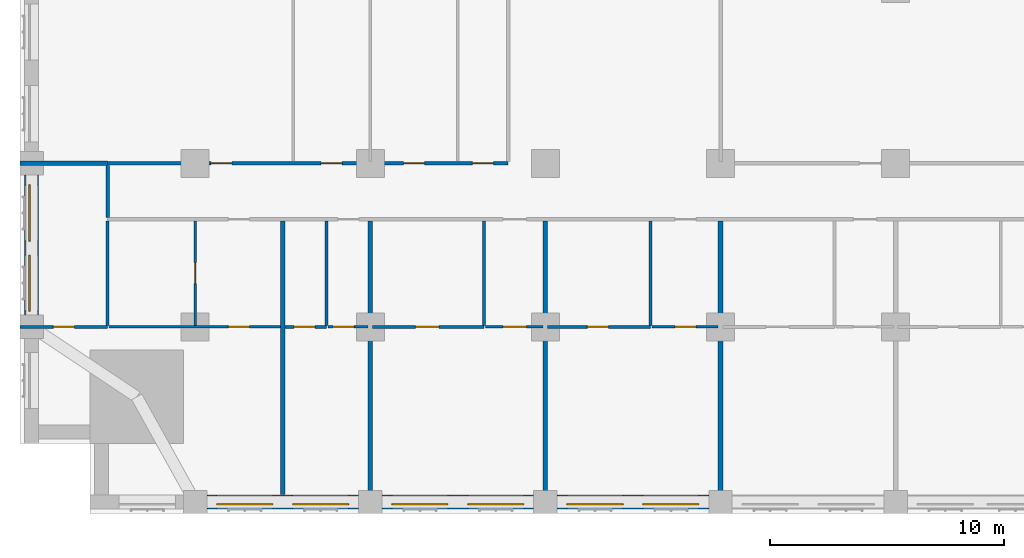
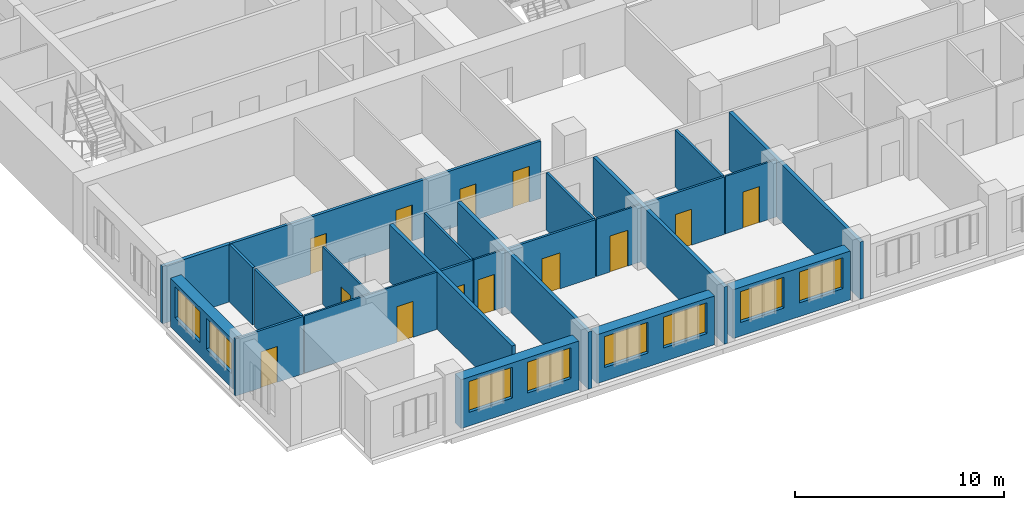
# One storey, part 4 of 14: 24 walls, 13 doors, 8 windows, 21 openings.
"""IFC4 building model written with IfcOpenShell, lengths in metres."""

import ifcopenshell
import ifcopenshell.guid

model = None  # the IFC model being written
_history = None  # IfcOwnerHistory: only IFC2X3 demands one
_inside = {}  # id of a spatial element -> (the spatial element, [elements in it])
_under = {}  # id of a project, library or spatial element -> (it, [spatial elements below it])
_declared = {}  # id of a project -> (the project, [libraries it declares])
_typed = {}  # id of a type object -> (the type object, [elements of that type])
_made_of = {}  # id of a material, layer set ... -> (it, [elements and type objects made of it])


def new_model(schema):
    """Start an empty IFC model of exactly this schema.

    Asked for "IFC4X3", IfcOpenShell would pick the latest addendum, in which some entities
    have other attributes; the version numbers below select the first issue.
    IFC2X3 requires an IfcOwnerHistory on every rooted entity: one is made here for all.
    """
    global model, _history
    if schema == "IFC4X3":
        model = ifcopenshell.file(schema_version=(4, 3, 0, 0))
    else:
        model = ifcopenshell.file(schema=schema)
    _inside.clear()
    _under.clear()
    _declared.clear()
    _typed.clear()
    _made_of.clear()
    _history = None
    if model.schema == "IFC2X3":
        org = make("IfcOrganization", Name="unknown")
        user = make(
            "IfcPersonAndOrganization",
            ThePerson=make("IfcPerson", FamilyName="unknown"),
            TheOrganization=org,
        )
        app = make(
            "IfcApplication",
            ApplicationDeveloper=org,
            Version="unknown",
            ApplicationFullName="unknown",
            ApplicationIdentifier="unknown",
        )
        _history = make(
            "IfcOwnerHistory",
            OwningUser=user,
            OwningApplication=app,
            ChangeAction="ADDED",
            CreationDate=0,
        )
    return model


def make(cls, **values):
    """One entity of the class cls with the attributes given. An attribute that is None is left unset."""
    return model.create_entity(
        cls, **{name: value for name, value in values.items() if value is not None}
    )


def rooted(cls, **values):
    """An entity with a GlobalId (a new one), such as an element, a storey or a relation."""
    return make(cls, GlobalId=ifcopenshell.guid.new(), OwnerHistory=_history, **values)


def si_unit(unit_type, name, prefix=None):
    """IfcSIUnit, for example si_unit("LENGTHUNIT", "METRE", prefix="MILLI")."""
    return make("IfcSIUnit", UnitType=unit_type, Prefix=prefix, Name=name)


def assignment(units):
    """IfcUnitAssignment: the units of a project."""
    return None if units is None else make("IfcUnitAssignment", Units=units)


def point(xyz):
    """IfcCartesianPoint."""
    return None if xyz is None else make("IfcCartesianPoint", Coordinates=xyz)


def direction(xyz):
    """IfcDirection."""
    return None if xyz is None else make("IfcDirection", DirectionRatios=xyz)


def frame(location, z_axis=None, x_axis=None):
    """IfcAxis2Placement3D, a coordinate frame: its origin and axes. An axis left out is left unset."""
    return make(
        "IfcAxis2Placement3D",
        Location=point(location),
        Axis=direction(z_axis),
        RefDirection=direction(x_axis),
    )


def frame_2d(location, x_axis=None):
    """IfcAxis2Placement2D, a coordinate frame in the plane: its origin and x axis."""
    return make(
        "IfcAxis2Placement2D", Location=point(location), RefDirection=direction(x_axis)
    )


def origin():
    """The frame at (0, 0, 0) with its axes left unset."""
    return frame((0.0, 0.0, 0.0))


def place(relative_to, where):
    """IfcLocalPlacement: puts the frame where relative to a parent placement (None: the world)."""
    return make(
        "IfcLocalPlacement", PlacementRelTo=relative_to, RelativePlacement=where
    )


def context(
    kind, dimensions, precision=None, world=None, true_north=None, identifier=None
):
    """IfcGeometricRepresentationContext, for example the 3D "Model" context."""
    return make(
        "IfcGeometricRepresentationContext",
        ContextIdentifier=identifier,
        ContextType=kind,
        CoordinateSpaceDimension=dimensions,
        Precision=precision,
        WorldCoordinateSystem=world,
        TrueNorth=true_north,
    )


def subcontext(parent, identifier, kind, view, scale=None):
    """IfcGeometricRepresentationSubContext, for example "Body" below "Model"."""
    return make(
        "IfcGeometricRepresentationSubContext",
        ContextIdentifier=identifier,
        ContextType=kind,
        ParentContext=parent,
        TargetScale=scale,
        TargetView=view,
    )


def project(units=None, contexts=None):
    """IfcProject with its units and contexts."""
    return rooted(
        "IfcProject",
        Name="project",
        RepresentationContexts=contexts,
        UnitsInContext=assignment(units),
    )


def spatial(cls, under=None, at=None, **own):
    """A site, building, storey or space (cls), placed at a placement, below another one or the project."""
    s = rooted(cls, ObjectPlacement=at, **own)
    if under is not None:
        _under.setdefault(under.id(), (under, []))[1].append(s)
    return s


def profile(cls, at=None, kind="AREA", **sizes):
    """A parametric profile (cls). Its sizes go by their IFC names, for example OverallWidth=200.0."""
    return make(cls, ProfileType=kind, Position=at, **sizes)


def rectangle(**sizes):
    """IfcRectangleProfileDef."""
    return profile("IfcRectangleProfileDef", **sizes)


def extrude(swept, where, along, depth):
    """IfcExtrudedAreaSolid: the profile swept, set in the frame where, extruded along a direction by depth."""
    return make(
        "IfcExtrudedAreaSolid",
        SweptArea=swept,
        Position=where,
        ExtrudedDirection=direction(along),
        Depth=depth,
    )


def shape(context_of_items, identifier, shape_type, items):
    """IfcShapeRepresentation: the items that make up one representation, for example the "Body"."""
    return make(
        "IfcShapeRepresentation",
        ContextOfItems=context_of_items,
        RepresentationIdentifier=identifier,
        RepresentationType=shape_type,
        Items=items,
    )


def material(Name=None, Category=None):
    """IfcMaterial."""
    return make("IfcMaterial", Name=Name, Category=Category)


def layer(
    of_material, thickness, ventilated=None, Name=None, Category=None, Priority=None
):
    """IfcMaterialLayer: one layer of a wall or slab, of a material (None: an air gap)."""
    return make(
        "IfcMaterialLayer",
        Material=of_material,
        LayerThickness=thickness,
        IsVentilated=ventilated,
        Name=Name,
        Category=Category,
        Priority=Priority,
    )


def layer_set(layers, Name=None):
    """IfcMaterialLayerSet."""
    return make("IfcMaterialLayerSet", MaterialLayers=layers, LayerSetName=Name)


def made_of(thing, what):
    """Note that an element or type object is made of a material, layer set ...; save() writes the relation."""
    if what is not None:
        _made_of.setdefault(what.id(), (what, []))[1].append(thing)
    return thing


def type_object(cls, material=None, **own):
    """A type object (cls), such as IfcWallType, which elements share."""
    return made_of(rooted(cls, **own), material)


def element(
    cls,
    number,
    at=None,
    inside=None,
    cuts=None,
    type_object=None,
    material=None,
    context=None,
    identifier="Body",
    shape_type=None,
    held_by="IfcProductDefinitionShape",
    body=None,
    shapes=None,
    **own,
):
    """One element of the class cls, such as IfcWall. Its Tag is "e" and its number.

    at: its placement. inside: the storey or other place that contains it. cuts: it is an
    opening in that element (IfcRelVoidsElement). A single representation is given by context,
    identifier, shape_type and body (its items); several are given by shapes. held_by: the class
    of the entity that holds the representations. save() writes the other relations.
    """
    e = rooted(cls, Tag="e%d" % number, ObjectPlacement=at, **own)
    if body is not None:
        shapes = [shape(context, identifier, shape_type, body)]
    if shapes is not None:
        e.Representation = make(held_by, Representations=shapes)
    if inside is not None:
        _inside.setdefault(inside.id(), (inside, []))[1].append(e)
    if cuts is not None:
        rooted(
            "IfcRelVoidsElement", RelatingBuildingElement=cuts, RelatedOpeningElement=e
        )
    if type_object is not None:
        _typed.setdefault(type_object.id(), (type_object, []))[1].append(e)
    return made_of(e, material)


def fill(opening, filler):
    """IfcRelFillsElement: the door or window that sits in an opening."""
    return rooted(
        "IfcRelFillsElement",
        RelatingOpeningElement=opening,
        RelatedBuildingElement=filler,
    )


def aggregate(whole, parts):
    """IfcRelAggregates: a whole, such as a stair, and the parts it consists of."""
    return rooted("IfcRelAggregates", RelatingObject=whole, RelatedObjects=parts)


def save(model, path):
    """Write the relations noted so far, then the file.

    IfcRelAggregates (storeys below a building ...), IfcRelContainedInSpatialStructure (elements
    in a storey), IfcRelDefinesByType, IfcRelAssociatesMaterial and IfcRelDeclares: one each for
    every whole, place, type object, material and project.
    """
    for whole, parts in _under.values():
        aggregate(whole, parts)
    for where, things in _inside.values():
        rooted(
            "IfcRelContainedInSpatialStructure",
            RelatedElements=things,
            RelatingStructure=where,
        )
    for kind, things in _typed.values():
        rooted("IfcRelDefinesByType", RelatedObjects=things, RelatingType=kind)
    for what, things in _made_of.values():
        rooted("IfcRelAssociatesMaterial", RelatedObjects=things, RelatingMaterial=what)
    for by, libraries in _declared.values():
        rooted("IfcRelDeclares", RelatingContext=by, RelatedDefinitions=libraries)
    model.write(path)


model = new_model("IFC4")

# Units and contexts
model_context = context("Model", 3, precision=1e-05, world=origin(), true_north=direction((0.0, 1.0)))
body_context = subcontext(model_context, "Body", "Model", "MODEL_VIEW")
ifc_project = project(units=[si_unit("LENGTHUNIT", "METRE"), si_unit("AREAUNIT", "SQUARE_METRE"), si_unit("VOLUMEUNIT", "CUBIC_METRE"), si_unit("PLANEANGLEUNIT", "RADIAN"), si_unit("MASSUNIT", "GRAM", prefix="KILO")], contexts=[model_context])

# Site, building, storey
site_placement = place(None, origin())
site = spatial("IfcSite", under=ifc_project, at=site_placement, CompositionType="ELEMENT")
building_placement = place(site_placement, origin())
building = spatial("IfcBuilding", under=site, at=building_placement, Name="Tamorin Gate", CompositionType="ELEMENT")
storey_placement = place(building_placement, frame((0.0, 0.0, 59.199951171875)))
storey = spatial("IfcBuildingStorey", under=building, at=storey_placement, Name="L13", CompositionType="ELEMENT", Elevation=59.199951171875)

# Wall, openings, windows
ifc_material_1 = material(Name="Precast concrete C40/50", Category="concrete")
ifc_layer_1 = layer(ifc_material_1, 0.60009765625)
ifc_layer_set_1 = layer_set([ifc_layer_1], Name="Precast concrete C40/50")
wall_type_1 = type_object("IfcWallType", Name="Board-marked concrete facade panel 600", PredefinedType="SOLIDWALL", material=ifc_layer_set_1)
wall_1_placement = place(storey_placement, frame((38.0, 38.0, 0.0), z_axis=(0.0, 0.0, 1.0), x_axis=(1.0, 0.0, 0.0)))
wall_1 = element("IfcWall", 1, at=wall_1_placement, inside=storey, type_object=wall_type_1, Name="Facade panel", PredefinedType="SOLIDWALL", context=body_context, shape_type="SweptSolid", body=[
    extrude(rectangle(XDim=6.5, YDim=0.60009765625, at=frame_2d((3.25, 0.0))), origin(), (0.0, 0.0, 1.0), 2.85009765625),
])
opening_1_placement = place(wall_1_placement, frame((0.425048828125, 0.0, 0.800048828125)))
opening_1 = element("IfcOpeningElement", 2, at=opening_1_placement, cuts=wall_1, Name="Opening WN1", PredefinedType="OPENING", context=body_context, shape_type="SweptSolid", body=[
    extrude(rectangle(XDim=2.39990234375, YDim=1.800048828125, at=frame_2d((1.199951171875, 0.89990234375))), frame((0.0, 0.31005859375, 0.0), z_axis=(0.0, -1.0, 0.0), x_axis=(1.0, 0.0, 0.0)), (0.0, 0.0, 1.0), 0.6201171875),
])
opening_2_placement = place(wall_1_placement, frame((3.675048828125, 0.0, 0.800048828125)))
opening_2 = element("IfcOpeningElement", 3, at=opening_2_placement, cuts=wall_1, Name="Opening WN1", PredefinedType="OPENING", context=body_context, shape_type="SweptSolid", body=[
    extrude(rectangle(XDim=2.39990234375, YDim=1.800048828125, at=frame_2d((1.199951171875, 0.89990234375))), frame((0.0, 0.31005859375, 0.0), z_axis=(0.0, -1.0, 0.0), x_axis=(1.0, 0.0, 0.0)), (0.0, 0.0, 1.0), 0.6201171875),
])
ifc_material_2 = material(Name="Clear glass in aluminium frame", Category="aluminium")
window_type = type_object("IfcWindowType", Name="Deep-set window 2400x1800", PartitioningType="SINGLE_PANEL", PredefinedType="WINDOW", material=ifc_material_2)
window_1_placement = place(opening_1_placement, origin())
window_1 = element("IfcWindow", 4, at=window_1_placement, inside=storey, type_object=window_type, Name="Deep-set window", OverallHeight=1.800048828125, OverallWidth=2.39990234375, PartitioningType="SINGLE_PANEL", PredefinedType="WINDOW", context=body_context, shape_type="SweptSolid", body=[
    extrude(rectangle(XDim=2.39990234375, YDim=1.800048828125, at=frame_2d((1.199951171875, 0.89990234375))), frame((0.0, -0.070068359375, 0.0), z_axis=(0.0, -1.0, 0.0), x_axis=(1.0, 0.0, 0.0)), (0.0, 0.0, 1.0), 0.06005859375),
])
fill(opening_1, window_1)
window_2_placement = place(opening_2_placement, origin())
window_2 = element("IfcWindow", 5, at=window_2_placement, inside=storey, type_object=window_type, Name="Deep-set window", OverallHeight=1.800048828125, OverallWidth=2.39990234375, PartitioningType="SINGLE_PANEL", PredefinedType="WINDOW", context=body_context, shape_type="SweptSolid", body=[
    extrude(rectangle(XDim=2.39990234375, YDim=1.800048828125, at=frame_2d((1.199951171875, 0.89990234375))), frame((0.0, -0.070068359375, 0.0), z_axis=(0.0, -1.0, 0.0), x_axis=(1.0, 0.0, 0.0)), (0.0, 0.0, 1.0), 0.06005859375),
])
fill(opening_2, window_2)

wall_2_placement = place(storey_placement, frame((45.5, 38.0, 0.0), z_axis=(0.0, 0.0, 1.0), x_axis=(1.0, 0.0, 0.0)))
wall_2 = element("IfcWall", 6, at=wall_2_placement, inside=storey, type_object=wall_type_1, Name="Facade panel", PredefinedType="SOLIDWALL", context=body_context, shape_type="SweptSolid", body=[
    extrude(rectangle(XDim=6.5, YDim=0.60009765625, at=frame_2d((3.25, 0.0))), origin(), (0.0, 0.0, 1.0), 2.85009765625),
])
opening_3_placement = place(wall_2_placement, frame((0.425048828125, 0.0, 0.800048828125)))
opening_3 = element("IfcOpeningElement", 7, at=opening_3_placement, cuts=wall_2, Name="Opening WN1", PredefinedType="OPENING", context=body_context, shape_type="SweptSolid", body=[
    extrude(rectangle(XDim=2.39990234375, YDim=1.800048828125, at=frame_2d((1.199951171875, 0.89990234375))), frame((0.0, 0.31005859375, 0.0), z_axis=(0.0, -1.0, 0.0), x_axis=(1.0, 0.0, 0.0)), (0.0, 0.0, 1.0), 0.6201171875),
])
opening_4_placement = place(wall_2_placement, frame((3.675048828125, 0.0, 0.800048828125)))
opening_4 = element("IfcOpeningElement", 8, at=opening_4_placement, cuts=wall_2, Name="Opening WN1", PredefinedType="OPENING", context=body_context, shape_type="SweptSolid", body=[
    extrude(rectangle(XDim=2.39990234375, YDim=1.800048828125, at=frame_2d((1.199951171875, 0.89990234375))), frame((0.0, 0.31005859375, 0.0), z_axis=(0.0, -1.0, 0.0), x_axis=(1.0, 0.0, 0.0)), (0.0, 0.0, 1.0), 0.6201171875),
])
window_3_placement = place(opening_3_placement, origin())
window_3 = element("IfcWindow", 9, at=window_3_placement, inside=storey, type_object=window_type, Name="Deep-set window", OverallHeight=1.800048828125, OverallWidth=2.39990234375, PartitioningType="SINGLE_PANEL", PredefinedType="WINDOW", context=body_context, shape_type="SweptSolid", body=[
    extrude(rectangle(XDim=2.39990234375, YDim=1.800048828125, at=frame_2d((1.199951171875, 0.89990234375))), frame((0.0, -0.070068359375, 0.0), z_axis=(0.0, -1.0, 0.0), x_axis=(1.0, 0.0, 0.0)), (0.0, 0.0, 1.0), 0.06005859375),
])
fill(opening_3, window_3)
window_4_placement = place(opening_4_placement, origin())
window_4 = element("IfcWindow", 10, at=window_4_placement, inside=storey, type_object=window_type, Name="Deep-set window", OverallHeight=1.800048828125, OverallWidth=2.39990234375, PartitioningType="SINGLE_PANEL", PredefinedType="WINDOW", context=body_context, shape_type="SweptSolid", body=[
    extrude(rectangle(XDim=2.39990234375, YDim=1.800048828125, at=frame_2d((1.199951171875, 0.89990234375))), frame((0.0, -0.070068359375, 0.0), z_axis=(0.0, -1.0, 0.0), x_axis=(1.0, 0.0, 0.0)), (0.0, 0.0, 1.0), 0.06005859375),
])
fill(opening_4, window_4)

wall_3_placement = place(storey_placement, frame((53.0, 38.0, 0.0), z_axis=(0.0, 0.0, 1.0), x_axis=(1.0, 0.0, 0.0)))
wall_3 = element("IfcWall", 11, at=wall_3_placement, inside=storey, type_object=wall_type_1, Name="Facade panel", PredefinedType="SOLIDWALL", context=body_context, shape_type="SweptSolid", body=[
    extrude(rectangle(XDim=6.5, YDim=0.60009765625, at=frame_2d((3.25, 0.0))), origin(), (0.0, 0.0, 1.0), 2.85009765625),
])
opening_5_placement = place(wall_3_placement, frame((0.425048828125, 0.0, 0.800048828125)))
opening_5 = element("IfcOpeningElement", 12, at=opening_5_placement, cuts=wall_3, Name="Opening WN1", PredefinedType="OPENING", context=body_context, shape_type="SweptSolid", body=[
    extrude(rectangle(XDim=2.39990234375, YDim=1.800048828125, at=frame_2d((1.199951171875, 0.89990234375))), frame((0.0, 0.31005859375, 0.0), z_axis=(0.0, -1.0, 0.0), x_axis=(1.0, 0.0, 0.0)), (0.0, 0.0, 1.0), 0.6201171875),
])
opening_6_placement = place(wall_3_placement, frame((3.675048828125, 0.0, 0.800048828125)))
opening_6 = element("IfcOpeningElement", 13, at=opening_6_placement, cuts=wall_3, Name="Opening WN1", PredefinedType="OPENING", context=body_context, shape_type="SweptSolid", body=[
    extrude(rectangle(XDim=2.39990234375, YDim=1.800048828125, at=frame_2d((1.199951171875, 0.89990234375))), frame((0.0, 0.31005859375, 0.0), z_axis=(0.0, -1.0, 0.0), x_axis=(1.0, 0.0, 0.0)), (0.0, 0.0, 1.0), 0.6201171875),
])
window_5_placement = place(opening_5_placement, origin())
window_5 = element("IfcWindow", 14, at=window_5_placement, inside=storey, type_object=window_type, Name="Deep-set window", OverallHeight=1.800048828125, OverallWidth=2.39990234375, PartitioningType="SINGLE_PANEL", PredefinedType="WINDOW", context=body_context, shape_type="SweptSolid", body=[
    extrude(rectangle(XDim=2.39990234375, YDim=1.800048828125, at=frame_2d((1.199951171875, 0.89990234375))), frame((0.0, -0.070068359375, 0.0), z_axis=(0.0, -1.0, 0.0), x_axis=(1.0, 0.0, 0.0)), (0.0, 0.0, 1.0), 0.06005859375),
])
fill(opening_5, window_5)
window_6_placement = place(opening_6_placement, origin())
window_6 = element("IfcWindow", 15, at=window_6_placement, inside=storey, type_object=window_type, Name="Deep-set window", OverallHeight=1.800048828125, OverallWidth=2.39990234375, PartitioningType="SINGLE_PANEL", PredefinedType="WINDOW", context=body_context, shape_type="SweptSolid", body=[
    extrude(rectangle(XDim=2.39990234375, YDim=1.800048828125, at=frame_2d((1.199951171875, 0.89990234375))), frame((0.0, -0.070068359375, 0.0), z_axis=(0.0, -1.0, 0.0), x_axis=(1.0, 0.0, 0.0)), (0.0, 0.0, 1.0), 0.06005859375),
])
fill(opening_6, window_6)

wall_4_placement = place(storey_placement, frame((30.5, 52.0, 0.0), z_axis=(0.0, 0.0, 1.0), x_axis=(0.0, -1.0, 0.0)))
wall_4 = element("IfcWall", 16, at=wall_4_placement, inside=storey, type_object=wall_type_1, Name="Facade panel", PredefinedType="SOLIDWALL", context=body_context, shape_type="SweptSolid", body=[
    extrude(rectangle(XDim=6.0, YDim=0.60009765625, at=frame_2d((3.0, 0.0))), origin(), (0.0, 0.0, 1.0), 2.85009765625),
])
opening_7_placement = place(wall_4_placement, frame((3.425048828125, 0.0, 0.800048828125)))
opening_7 = element("IfcOpeningElement", 17, at=opening_7_placement, cuts=wall_4, Name="Opening WN1", PredefinedType="OPENING", context=body_context, shape_type="SweptSolid", body=[
    extrude(rectangle(XDim=2.39990234375, YDim=1.800048828125, at=frame_2d((1.199951171875, 0.89990234375))), frame((0.0, 0.31005859375, 0.0), z_axis=(0.0, -1.0, 0.0), x_axis=(1.0, 0.0, 0.0)), (0.0, 0.0, 1.0), 0.6201171875),
])
opening_8_placement = place(wall_4_placement, frame((0.425048828125, 0.0, 0.800048828125)))
opening_8 = element("IfcOpeningElement", 18, at=opening_8_placement, cuts=wall_4, Name="Opening WN1", PredefinedType="OPENING", context=body_context, shape_type="SweptSolid", body=[
    extrude(rectangle(XDim=2.39990234375, YDim=1.800048828125, at=frame_2d((1.199951171875, 0.89990234375))), frame((0.0, 0.31005859375, 0.0), z_axis=(0.0, -1.0, 0.0), x_axis=(1.0, 0.0, 0.0)), (0.0, 0.0, 1.0), 0.6201171875),
])
window_7_placement = place(opening_7_placement, origin())
window_7 = element("IfcWindow", 19, at=window_7_placement, inside=storey, type_object=window_type, Name="Deep-set window", OverallHeight=1.800048828125, OverallWidth=2.39990234375, PartitioningType="SINGLE_PANEL", PredefinedType="WINDOW", context=body_context, shape_type="SweptSolid", body=[
    extrude(rectangle(XDim=2.39990234375, YDim=1.800048828125, at=frame_2d((1.199951171875, 0.89990234375))), frame((0.0, -0.070068359375, 0.0), z_axis=(0.0, -1.0, 0.0), x_axis=(1.0, 0.0, 0.0)), (0.0, 0.0, 1.0), 0.06005859375),
])
fill(opening_7, window_7)
window_8_placement = place(opening_8_placement, origin())
window_8 = element("IfcWindow", 20, at=window_8_placement, inside=storey, type_object=window_type, Name="Deep-set window", OverallHeight=1.800048828125, OverallWidth=2.39990234375, PartitioningType="SINGLE_PANEL", PredefinedType="WINDOW", context=body_context, shape_type="SweptSolid", body=[
    extrude(rectangle(XDim=2.39990234375, YDim=1.800048828125, at=frame_2d((1.199951171875, 0.89990234375))), frame((0.0, -0.070068359375, 0.0), z_axis=(0.0, -1.0, 0.0), x_axis=(1.0, 0.0, 0.0)), (0.0, 0.0, 1.0), 0.06005859375),
])
fill(opening_8, window_8)

# Wall, openings, doors
ifc_material_3 = material(Name="Gypsum board partition")
ifc_layer_2 = layer(ifc_material_3, 0.14990234375)
ifc_layer_set_2 = layer_set([ifc_layer_2], Name="Corridor wall 150")
wall_type_2 = type_object("IfcWallType", Name="Corridor wall 150", PredefinedType="PARTITIONING", material=ifc_layer_set_2)
wall_5_placement = place(storey_placement, frame((33.75, 52.5, 0.0), z_axis=(0.0, 0.0, 1.0), x_axis=(1.0, 0.0, 0.0)))
wall_5 = element("IfcWall", 21, at=wall_5_placement, inside=storey, type_object=wall_type_2, Name="Corridor wall 150", PredefinedType="PARTITIONING", context=body_context, shape_type="SweptSolid", body=[
    extrude(rectangle(XDim=17.14990234375, YDim=0.14990234375, at=frame_2d((8.574951171875, 0.0))), origin(), (0.0, 0.0, 1.0), 3.35009765625),
])
opening_9_placement = place(wall_5_placement, frame((4.425048828125, 0.0, 0.0)))
opening_9 = element("IfcOpeningElement", 22, at=opening_9_placement, cuts=wall_5, Name="Opening DH4072", PredefinedType="OPENING", context=body_context, shape_type="SweptSolid", body=[
    extrude(rectangle(XDim=0.89990234375, YDim=2.10009765625, at=frame_2d((0.449951171875, 1.050048828125))), frame((0.0, 0.0849609375, 0.0), z_axis=(0.0, -1.0, 0.0), x_axis=(1.0, 0.0, 0.0)), (0.0, 0.0, 1.0), 0.169921875),
])
opening_10_placement = place(wall_5_placement, frame((9.14990234375, 0.0, 0.0)))
opening_10 = element("IfcOpeningElement", 23, at=opening_10_placement, cuts=wall_5, Name="Opening DH4073", PredefinedType="OPENING", context=body_context, shape_type="SweptSolid", body=[
    extrude(rectangle(XDim=0.89990234375, YDim=2.10009765625, at=frame_2d((0.449951171875, 1.050048828125))), frame((0.0, 0.0849609375, 0.0), z_axis=(0.0, -1.0, 0.0), x_axis=(1.0, 0.0, 0.0)), (0.0, 0.0, 1.0), 0.169921875),
])
opening_11_placement = place(wall_5_placement, frame((12.675048828125, 0.0, 0.0)))
opening_11 = element("IfcOpeningElement", 24, at=opening_11_placement, cuts=wall_5, Name="Opening DH4074", PredefinedType="OPENING", context=body_context, shape_type="SweptSolid", body=[
    extrude(rectangle(XDim=0.89990234375, YDim=2.10009765625, at=frame_2d((0.449951171875, 1.050048828125))), frame((0.0, 0.0849609375, 0.0), z_axis=(0.0, -1.0, 0.0), x_axis=(1.0, 0.0, 0.0)), (0.0, 0.0, 1.0), 0.169921875),
])
opening_12_placement = place(wall_5_placement, frame((15.625, 0.0, 0.0)))
opening_12 = element("IfcOpeningElement", 25, at=opening_12_placement, cuts=wall_5, Name="Opening DH4075", PredefinedType="OPENING", context=body_context, shape_type="SweptSolid", body=[
    extrude(rectangle(XDim=0.89990234375, YDim=2.10009765625, at=frame_2d((0.449951171875, 1.050048828125))), frame((0.0, 0.0849609375, 0.0), z_axis=(0.0, -1.0, 0.0), x_axis=(1.0, 0.0, 0.0)), (0.0, 0.0, 1.0), 0.169921875),
])
ifc_material_4 = material(Name="Timber door leaf", Category="wood")
door_type_1 = type_object("IfcDoorType", Name="Door 900 x 2100 FD30S", OperationType="NOTDEFINED", PredefinedType="DOOR", material=ifc_material_4)
door_1_placement = place(opening_9_placement, origin())
door_1 = element("IfcDoor", 26, at=door_1_placement, inside=storey, type_object=door_type_1, Name="Door DH4072", OperationType="SINGLE_SWING_RIGHT", OverallHeight=2.10009765625, OverallWidth=0.89990234375, PredefinedType="DOOR", context=body_context, shape_type="SweptSolid", body=[
    extrude(rectangle(XDim=0.89990234375, YDim=2.10009765625, at=frame_2d((0.449951171875, 1.050048828125))), frame((0.0, 0.02490234375, 0.0), z_axis=(0.0, -1.0, 0.0), x_axis=(1.0, 0.0, 0.0)), (0.0, 0.0, 1.0), 0.050048828125),
])
fill(opening_9, door_1)
door_2_placement = place(opening_10_placement, origin())
door_2 = element("IfcDoor", 27, at=door_2_placement, inside=storey, type_object=door_type_1, Name="Door DH4073", OperationType="SINGLE_SWING_LEFT", OverallHeight=2.10009765625, OverallWidth=0.89990234375, PredefinedType="DOOR", context=body_context, shape_type="SweptSolid", body=[
    extrude(rectangle(XDim=0.89990234375, YDim=2.10009765625, at=frame_2d((0.449951171875, 1.050048828125))), frame((0.0, 0.02490234375, 0.0), z_axis=(0.0, -1.0, 0.0), x_axis=(1.0, 0.0, 0.0)), (0.0, 0.0, 1.0), 0.050048828125),
])
fill(opening_10, door_2)
door_3_placement = place(opening_11_placement, origin())
door_3 = element("IfcDoor", 28, at=door_3_placement, inside=storey, type_object=door_type_1, Name="Door DH4074", OperationType="SINGLE_SWING_LEFT", OverallHeight=2.10009765625, OverallWidth=0.89990234375, PredefinedType="DOOR", context=body_context, shape_type="SweptSolid", body=[
    extrude(rectangle(XDim=0.89990234375, YDim=2.10009765625, at=frame_2d((0.449951171875, 1.050048828125))), frame((0.0, 0.02490234375, 0.0), z_axis=(0.0, -1.0, 0.0), x_axis=(1.0, 0.0, 0.0)), (0.0, 0.0, 1.0), 0.050048828125),
])
fill(opening_11, door_3)
door_4_placement = place(opening_12_placement, origin())
door_4 = element("IfcDoor", 29, at=door_4_placement, inside=storey, type_object=door_type_1, Name="Door DH4075", OperationType="SINGLE_SWING_LEFT", OverallHeight=2.10009765625, OverallWidth=0.89990234375, PredefinedType="DOOR", context=body_context, shape_type="SweptSolid", body=[
    extrude(rectangle(XDim=0.89990234375, YDim=2.10009765625, at=frame_2d((0.449951171875, 1.050048828125))), frame((0.0, 0.02490234375, 0.0), z_axis=(0.0, -1.0, 0.0), x_axis=(1.0, 0.0, 0.0)), (0.0, 0.0, 1.0), 0.050048828125),
])
fill(opening_12, door_4)

# Walls
wall_6_placement = place(storey_placement, frame((33.75, 50.175048828125, 0.0), z_axis=(0.0, 0.0, 1.0), x_axis=(0.0, 1.0, 0.0)))
element("IfcWall", 30, at=wall_6_placement, inside=storey, type_object=wall_type_2, Name="Corridor wall 150", PredefinedType="PARTITIONING", context=body_context, shape_type="SweptSolid", body=[
    extrude(rectangle(XDim=2.224853515625, YDim=0.14990234375, at=frame_2d((1.1123046875, 0.0))), origin(), (0.0, 0.0, 1.0), 3.35009765625),
])
ifc_layer_3 = layer(ifc_material_3, 0.199951171875)
ifc_layer_set_3 = layer_set([ifc_layer_3], Name="Demising wall 200")
wall_type_3 = type_object("IfcWallType", Name="Demising wall 200", PredefinedType="PARTITIONING", material=ifc_layer_set_3)
wall_7_placement = place(storey_placement, frame((30.0, 52.5, 0.0), z_axis=(0.0, 0.0, 1.0), x_axis=(1.0, 0.0, 0.0)))
element("IfcWall", 31, at=wall_7_placement, inside=storey, type_object=wall_type_3, Name="Demising wall 200", PredefinedType="PARTITIONING", context=body_context, shape_type="SweptSolid", body=[
    extrude(rectangle(XDim=3.75, YDim=0.199951171875, at=frame_2d((1.875, 0.0))), origin(), (0.0, 0.0, 1.0), 3.35009765625),
])
wall_8_placement = place(storey_placement, frame((41.25, 38.31005859375, 0.0), z_axis=(0.0, 0.0, 1.0), x_axis=(0.0, 1.0, 0.0)))
element("IfcWall", 32, at=wall_8_placement, inside=storey, type_object=wall_type_3, Name="Demising wall 200", PredefinedType="PARTITIONING", context=body_context, shape_type="SweptSolid", body=[
    extrude(rectangle(XDim=11.71484375, YDim=0.199951171875, at=frame_2d((5.857421875, 0.0))), origin(), (0.0, 0.0, 1.0), 3.35009765625),
])
for number, where, z_axis, x_axis, name in (
    (33, (45.0, 37.5, 0.0), (0.0, 0.0, 1.0), (0.0, 1.0, 0.0), "Demising wall 200"),
    (34, (52.5, 37.5, 0.0), (0.0, 0.0, 1.0), (0.0, 1.0, 0.0), "Demising wall 200"),
    (35, (60.0, 37.5, 0.0), (0.0, 0.0, 1.0), (0.0, 1.0, 0.0), "Demising wall 200"),
):
    element("IfcWall", number, at=place(storey_placement, frame(where, z_axis=z_axis, x_axis=x_axis)), inside=storey, type_object=wall_type_3, Name=name, PredefinedType="PARTITIONING", context=body_context, shape_type="SweptSolid", body=[
        extrude(rectangle(XDim=12.52490234375, YDim=0.199951171875, at=frame_2d((6.262451171875, 0.0))), origin(), (0.0, 0.0, 1.0), 3.35009765625),
    ])

# Wall, opening, door
ifc_layer_4 = layer(ifc_material_3, 0.10009765625)
ifc_layer_set_4 = layer_set([ifc_layer_4], Name="Room partition 100")
wall_type_4 = type_object("IfcWallType", Name="Room partition 100", PredefinedType="PARTITIONING", material=ifc_layer_set_4)
wall_9_placement = place(storey_placement, frame((33.8125, 45.5, 0.0), z_axis=(0.0, 0.0, 1.0), x_axis=(1.0, 0.0, 0.0)))
wall_9 = element("IfcWall", 36, at=wall_9_placement, inside=storey, type_object=wall_type_4, Name="Room partition 100", PredefinedType="PARTITIONING", context=body_context, shape_type="SweptSolid", body=[
    extrude(rectangle(XDim=7.33740234375, YDim=0.10009765625, at=frame_2d((3.668701171875, 0.0))), origin(), (0.0, 0.0, 1.0), 3.35009765625),
])
opening_13_placement = place(wall_9_placement, frame((5.112548828125, 0.0, 0.0)))
opening_13 = element("IfcOpeningElement", 37, at=opening_13_placement, cuts=wall_9, Name="Opening DH4004", PredefinedType="OPENING", context=body_context, shape_type="SweptSolid", body=[
    extrude(rectangle(XDim=0.89990234375, YDim=2.10009765625, at=frame_2d((0.449951171875, 1.050048828125))), frame((0.0, 0.06005859375, 0.0), z_axis=(0.0, -1.0, 0.0), x_axis=(1.0, 0.0, 0.0)), (0.0, 0.0, 1.0), 0.1201171875),
])
door_type_2 = type_object("IfcDoorType", Name="Door 900 x 2100", OperationType="NOTDEFINED", PredefinedType="DOOR", material=ifc_material_4)
door_5_placement = place(opening_13_placement, origin())
door_5 = element("IfcDoor", 38, at=door_5_placement, inside=storey, type_object=door_type_2, Name="Door DH4004", OperationType="SINGLE_SWING_LEFT", OverallHeight=2.10009765625, OverallWidth=0.89990234375, PredefinedType="DOOR", context=body_context, shape_type="SweptSolid", body=[
    extrude(rectangle(XDim=0.89990234375, YDim=2.10009765625, at=frame_2d((0.449951171875, 1.050048828125))), frame((0.0, 0.02490234375, 0.0), z_axis=(0.0, -1.0, 0.0), x_axis=(1.0, 0.0, 0.0)), (0.0, 0.0, 1.0), 0.050048828125),
])
fill(opening_13, door_5)

wall_10_placement = place(storey_placement, frame((43.1875, 45.5, 0.0), z_axis=(0.0, 0.0, 1.0), x_axis=(1.0, 0.0, 0.0)))
wall_10 = element("IfcWall", 39, at=wall_10_placement, inside=storey, type_object=wall_type_4, Name="Room partition 100", PredefinedType="PARTITIONING", context=body_context, shape_type="SweptSolid", body=[
    extrude(rectangle(XDim=1.71240234375, YDim=0.10009765625, at=frame_2d((0.856201171875, 0.0))), origin(), (0.0, 0.0, 1.0), 3.35009765625),
])
opening_14_placement = place(wall_10_placement, frame((0.22509765625, 0.0, 0.0)))
opening_14 = element("IfcOpeningElement", 40, at=opening_14_placement, cuts=wall_10, Name="Opening DH4007", PredefinedType="OPENING", context=body_context, shape_type="SweptSolid", body=[
    extrude(rectangle(XDim=0.89990234375, YDim=2.10009765625, at=frame_2d((0.449951171875, 1.050048828125))), frame((0.0, 0.06005859375, 0.0), z_axis=(0.0, -1.0, 0.0), x_axis=(1.0, 0.0, 0.0)), (0.0, 0.0, 1.0), 0.1201171875),
])
door_6_placement = place(opening_14_placement, origin())
door_6 = element("IfcDoor", 41, at=door_6_placement, inside=storey, type_object=door_type_2, Name="Door DH4007", OperationType="SINGLE_SWING_LEFT", OverallHeight=2.10009765625, OverallWidth=0.89990234375, PredefinedType="DOOR", context=body_context, shape_type="SweptSolid", body=[
    extrude(rectangle(XDim=0.89990234375, YDim=2.10009765625, at=frame_2d((0.449951171875, 1.050048828125))), frame((0.0, 0.02490234375, 0.0), z_axis=(0.0, -1.0, 0.0), x_axis=(1.0, 0.0, 0.0)), (0.0, 0.0, 1.0), 0.050048828125),
])
fill(opening_14, door_6)

wall_11_placement = place(storey_placement, frame((49.9375, 45.5, 0.0), z_axis=(0.0, 0.0, 1.0), x_axis=(1.0, 0.0, 0.0)))
wall_11 = element("IfcWall", 42, at=wall_11_placement, inside=storey, type_object=wall_type_4, Name="Room partition 100", PredefinedType="PARTITIONING", context=body_context, shape_type="SweptSolid", body=[
    extrude(rectangle(XDim=2.46240234375, YDim=0.10009765625, at=frame_2d((1.231201171875, 0.0))), origin(), (0.0, 0.0, 1.0), 3.35009765625),
])
opening_15_placement = place(wall_11_placement, frame((0.75, 0.0, 0.0)))
opening_15 = element("IfcOpeningElement", 43, at=opening_15_placement, cuts=wall_11, Name="Opening DH4010", PredefinedType="OPENING", context=body_context, shape_type="SweptSolid", body=[
    extrude(rectangle(XDim=1.0, YDim=2.10009765625, at=frame_2d((0.5, 1.050048828125))), frame((0.0, 0.06005859375, 0.0), z_axis=(0.0, -1.0, 0.0), x_axis=(1.0, 0.0, 0.0)), (0.0, 0.0, 1.0), 0.1201171875),
])
door_type_3 = type_object("IfcDoorType", Name="Door 1000 x 2100", OperationType="NOTDEFINED", PredefinedType="DOOR", material=ifc_material_4)
door_7_placement = place(opening_15_placement, origin())
door_7 = element("IfcDoor", 44, at=door_7_placement, inside=storey, type_object=door_type_3, Name="Door DH4010", OperationType="SINGLE_SWING_LEFT", OverallHeight=2.10009765625, OverallWidth=1.0, PredefinedType="DOOR", context=body_context, shape_type="SweptSolid", body=[
    extrude(rectangle(XDim=1.0, YDim=2.10009765625, at=frame_2d((0.5, 1.050048828125))), frame((0.0, 0.02490234375, 0.0), z_axis=(0.0, -1.0, 0.0), x_axis=(1.0, 0.0, 0.0)), (0.0, 0.0, 1.0), 0.050048828125),
])
fill(opening_15, door_7)

wall_12_placement = place(storey_placement, frame((57.0625, 45.5, 0.0), z_axis=(0.0, 0.0, 1.0), x_axis=(1.0, 0.0, 0.0)))
wall_12 = element("IfcWall", 45, at=wall_12_placement, inside=storey, type_object=wall_type_4, Name="Room partition 100", PredefinedType="PARTITIONING", context=body_context, shape_type="SweptSolid", body=[
    extrude(rectangle(XDim=2.83740234375, YDim=0.10009765625, at=frame_2d((1.418701171875, 0.0))), origin(), (0.0, 0.0, 1.0), 3.35009765625),
])
opening_16_placement = place(wall_12_placement, frame((0.987548828125, 0.0, 0.0)))
opening_16 = element("IfcOpeningElement", 46, at=opening_16_placement, cuts=wall_12, Name="Opening DH4013", PredefinedType="OPENING", context=body_context, shape_type="SweptSolid", body=[
    extrude(rectangle(XDim=0.89990234375, YDim=2.10009765625, at=frame_2d((0.449951171875, 1.050048828125))), frame((0.0, 0.06005859375, 0.0), z_axis=(0.0, -1.0, 0.0), x_axis=(1.0, 0.0, 0.0)), (0.0, 0.0, 1.0), 0.1201171875),
])
door_8_placement = place(opening_16_placement, origin())
door_8 = element("IfcDoor", 47, at=door_8_placement, inside=storey, type_object=door_type_2, Name="Door DH4013", OperationType="SINGLE_SWING_LEFT", OverallHeight=2.10009765625, OverallWidth=0.89990234375, PredefinedType="DOOR", context=body_context, shape_type="SweptSolid", body=[
    extrude(rectangle(XDim=0.89990234375, YDim=2.10009765625, at=frame_2d((0.449951171875, 1.050048828125))), frame((0.0, 0.02490234375, 0.0), z_axis=(0.0, -1.0, 0.0), x_axis=(1.0, 0.0, 0.0)), (0.0, 0.0, 1.0), 0.050048828125),
])
fill(opening_16, door_8)

wall_13_placement = place(storey_placement, frame((37.5, 45.550048828125, 0.0), z_axis=(0.0, 0.0, 1.0), x_axis=(0.0, 1.0, 0.0)))
wall_13 = element("IfcWall", 48, at=wall_13_placement, inside=storey, type_object=wall_type_4, Name="Room partition 100", PredefinedType="PARTITIONING", context=body_context, shape_type="SweptSolid", body=[
    extrude(rectangle(XDim=4.474853515625, YDim=0.10009765625, at=frame_2d((2.2373046875, 0.0))), origin(), (0.0, 0.0, 1.0), 3.35009765625),
])
opening_17_placement = place(wall_13_placement, frame((1.800048828125, 0.0, 0.0)))
opening_17 = element("IfcOpeningElement", 49, at=opening_17_placement, cuts=wall_13, Name="Opening DH4002", PredefinedType="OPENING", context=body_context, shape_type="SweptSolid", body=[
    extrude(rectangle(XDim=0.89990234375, YDim=2.10009765625, at=frame_2d((0.449951171875, 1.050048828125))), frame((0.0, 0.06005859375, 0.0), z_axis=(0.0, -1.0, 0.0), x_axis=(1.0, 0.0, 0.0)), (0.0, 0.0, 1.0), 0.1201171875),
])
door_9_placement = place(opening_17_placement, origin())
door_9 = element("IfcDoor", 50, at=door_9_placement, inside=storey, type_object=door_type_2, Name="Door DH4002", OperationType="SINGLE_SWING_RIGHT", OverallHeight=2.10009765625, OverallWidth=0.89990234375, PredefinedType="DOOR", context=body_context, shape_type="SweptSolid", body=[
    extrude(rectangle(XDim=0.89990234375, YDim=2.10009765625, at=frame_2d((0.449951171875, 1.050048828125))), frame((0.0, 0.02490234375, 0.0), z_axis=(0.0, -1.0, 0.0), x_axis=(1.0, 0.0, 0.0)), (0.0, 0.0, 1.0), 0.050048828125),
])
fill(opening_17, door_9)

ifc_layer_5 = layer(ifc_material_3, 0.125)
ifc_layer_set_5 = layer_set([ifc_layer_5], Name="Wet wall 125")
wall_type_5 = type_object("IfcWallType", Name="Wet wall 125", PredefinedType="PARTITIONING", material=ifc_layer_set_5)
wall_14_placement = place(storey_placement, frame((30.0, 45.5, 0.0), z_axis=(0.0, 0.0, 1.0), x_axis=(1.0, 0.0, 0.0)))
wall_14 = element("IfcWall", 51, at=wall_14_placement, inside=storey, type_object=wall_type_5, Name="Wet wall 125", PredefinedType="PARTITIONING", context=body_context, shape_type="SweptSolid", body=[
    extrude(rectangle(XDim=3.75, YDim=0.125, at=frame_2d((1.875, 0.0))), origin(), (0.0, 0.0, 1.0), 3.35009765625),
])
opening_18_placement = place(wall_14_placement, frame((1.425048828125, 0.0, 0.0)))
opening_18 = element("IfcOpeningElement", 52, at=opening_18_placement, cuts=wall_14, Name="Opening DH4001", PredefinedType="OPENING", context=body_context, shape_type="SweptSolid", body=[
    extrude(rectangle(XDim=0.89990234375, YDim=2.10009765625, at=frame_2d((0.449951171875, 1.050048828125))), frame((0.0, 0.072509765625, 0.0), z_axis=(0.0, -1.0, 0.0), x_axis=(1.0, 0.0, 0.0)), (0.0, 0.0, 1.0), 0.14501953125),
])
door_10_placement = place(opening_18_placement, origin())
door_10 = element("IfcDoor", 53, at=door_10_placement, inside=storey, type_object=door_type_2, Name="Door DH4001", OperationType="SINGLE_SWING_LEFT", OverallHeight=2.10009765625, OverallWidth=0.89990234375, PredefinedType="DOOR", context=body_context, shape_type="SweptSolid", body=[
    extrude(rectangle(XDim=0.89990234375, YDim=2.10009765625, at=frame_2d((0.449951171875, 1.050048828125))), frame((0.0, 0.02490234375, 0.0), z_axis=(0.0, -1.0, 0.0), x_axis=(1.0, 0.0, 0.0)), (0.0, 0.0, 1.0), 0.050048828125),
])
fill(opening_18, door_10)

wall_15_placement = place(storey_placement, frame((41.35009765625, 45.5, 0.0), z_axis=(0.0, 0.0, 1.0), x_axis=(1.0, 0.0, 0.0)))
wall_15 = element("IfcWall", 54, at=wall_15_placement, inside=storey, type_object=wall_type_5, Name="Wet wall 125", PredefinedType="PARTITIONING", context=body_context, shape_type="SweptSolid", body=[
    extrude(rectangle(XDim=1.77490234375, YDim=0.125, at=frame_2d((0.887451171875, 0.0))), origin(), (0.0, 0.0, 1.0), 3.35009765625),
])
opening_19_placement = place(wall_15_placement, frame((0.387451171875, 0.0, 0.0)))
opening_19 = element("IfcOpeningElement", 55, at=opening_19_placement, cuts=wall_15, Name="Opening DH4005", PredefinedType="OPENING", context=body_context, shape_type="SweptSolid", body=[
    extrude(rectangle(XDim=0.89990234375, YDim=2.10009765625, at=frame_2d((0.449951171875, 1.050048828125))), frame((0.0, 0.072509765625, 0.0), z_axis=(0.0, -1.0, 0.0), x_axis=(1.0, 0.0, 0.0)), (0.0, 0.0, 1.0), 0.14501953125),
])
door_11_placement = place(opening_19_placement, origin())
door_11 = element("IfcDoor", 56, at=door_11_placement, inside=storey, type_object=door_type_2, Name="Door DH4005", OperationType="SINGLE_SWING_LEFT", OverallHeight=2.10009765625, OverallWidth=0.89990234375, PredefinedType="DOOR", context=body_context, shape_type="SweptSolid", body=[
    extrude(rectangle(XDim=0.89990234375, YDim=2.10009765625, at=frame_2d((0.449951171875, 1.050048828125))), frame((0.0, 0.02490234375, 0.0), z_axis=(0.0, -1.0, 0.0), x_axis=(1.0, 0.0, 0.0)), (0.0, 0.0, 1.0), 0.050048828125),
])
fill(opening_19, door_11)

wall_16_placement = place(storey_placement, frame((45.10009765625, 45.5, 0.0), z_axis=(0.0, 0.0, 1.0), x_axis=(1.0, 0.0, 0.0)))
wall_16 = element("IfcWall", 57, at=wall_16_placement, inside=storey, type_object=wall_type_5, Name="Wet wall 125", PredefinedType="PARTITIONING", context=body_context, shape_type="SweptSolid", body=[
    extrude(rectangle(XDim=4.77490234375, YDim=0.125, at=frame_2d((2.387451171875, 0.0))), origin(), (0.0, 0.0, 1.0), 3.35009765625),
])
opening_20_placement = place(wall_16_placement, frame((1.83740234375, 0.0, 0.0)))
opening_20 = element("IfcOpeningElement", 58, at=opening_20_placement, cuts=wall_16, Name="Opening DH4008", PredefinedType="OPENING", context=body_context, shape_type="SweptSolid", body=[
    extrude(rectangle(XDim=1.0, YDim=2.10009765625, at=frame_2d((0.5, 1.050048828125))), frame((0.0, 0.072509765625, 0.0), z_axis=(0.0, -1.0, 0.0), x_axis=(1.0, 0.0, 0.0)), (0.0, 0.0, 1.0), 0.14501953125),
])
door_12_placement = place(opening_20_placement, origin())
door_12 = element("IfcDoor", 59, at=door_12_placement, inside=storey, type_object=door_type_3, Name="Door DH4008", OperationType="SINGLE_SWING_LEFT", OverallHeight=2.10009765625, OverallWidth=1.0, PredefinedType="DOOR", context=body_context, shape_type="SweptSolid", body=[
    extrude(rectangle(XDim=1.0, YDim=2.10009765625, at=frame_2d((0.5, 1.050048828125))), frame((0.0, 0.02490234375, 0.0), z_axis=(0.0, -1.0, 0.0), x_axis=(1.0, 0.0, 0.0)), (0.0, 0.0, 1.0), 0.050048828125),
])
fill(opening_20, door_12)

wall_17_placement = place(storey_placement, frame((52.60009765625, 45.5, 0.0), z_axis=(0.0, 0.0, 1.0), x_axis=(1.0, 0.0, 0.0)))
wall_17 = element("IfcWall", 60, at=wall_17_placement, inside=storey, type_object=wall_type_5, Name="Wet wall 125", PredefinedType="PARTITIONING", context=body_context, shape_type="SweptSolid", body=[
    extrude(rectangle(XDim=4.39990234375, YDim=0.125, at=frame_2d((2.199951171875, 0.0))), origin(), (0.0, 0.0, 1.0), 3.35009765625),
])
opening_21_placement = place(wall_17_placement, frame((1.699951171875, 0.0, 0.0)))
opening_21 = element("IfcOpeningElement", 61, at=opening_21_placement, cuts=wall_17, Name="Opening DH4011", PredefinedType="OPENING", context=body_context, shape_type="SweptSolid", body=[
    extrude(rectangle(XDim=0.89990234375, YDim=2.10009765625, at=frame_2d((0.449951171875, 1.050048828125))), frame((0.0, 0.072509765625, 0.0), z_axis=(0.0, -1.0, 0.0), x_axis=(1.0, 0.0, 0.0)), (0.0, 0.0, 1.0), 0.14501953125),
])
door_13_placement = place(opening_21_placement, origin())
door_13 = element("IfcDoor", 62, at=door_13_placement, inside=storey, type_object=door_type_2, Name="Door DH4011", OperationType="SINGLE_SWING_LEFT", OverallHeight=2.10009765625, OverallWidth=0.89990234375, PredefinedType="DOOR", context=body_context, shape_type="SweptSolid", body=[
    extrude(rectangle(XDim=0.89990234375, YDim=2.10009765625, at=frame_2d((0.449951171875, 1.050048828125))), frame((0.0, 0.02490234375, 0.0), z_axis=(0.0, -1.0, 0.0), x_axis=(1.0, 0.0, 0.0)), (0.0, 0.0, 1.0), 0.050048828125),
])
fill(opening_21, door_13)

# Walls
for number, where, z_axis, x_axis, name in (
    (63, (33.75, 45.5625, 0.0), (0.0, 0.0, 1.0), (0.0, 1.0, 0.0), "Wet wall 125"),
    (64, (43.125, 45.5625, 0.0), (0.0, 0.0, 1.0), (0.0, 1.0, 0.0), "Wet wall 125"),
    (65, (49.875, 45.5625, 0.0), (0.0, 0.0, 1.0), (0.0, 1.0, 0.0), "Wet wall 125"),
    (66, (57.0, 45.5625, 0.0), (0.0, 0.0, 1.0), (0.0, 1.0, 0.0), "Wet wall 125"),
):
    element("IfcWall", number, at=place(storey_placement, frame(where, z_axis=z_axis, x_axis=x_axis)), inside=storey, type_object=wall_type_5, Name=name, PredefinedType="PARTITIONING", context=body_context, shape_type="SweptSolid", body=[
        extrude(rectangle(XDim=4.46240234375, YDim=0.125, at=frame_2d((2.231201171875, 0.0))), origin(), (0.0, 0.0, 1.0), 3.35009765625),
    ])

save(model, "model.ifc")
